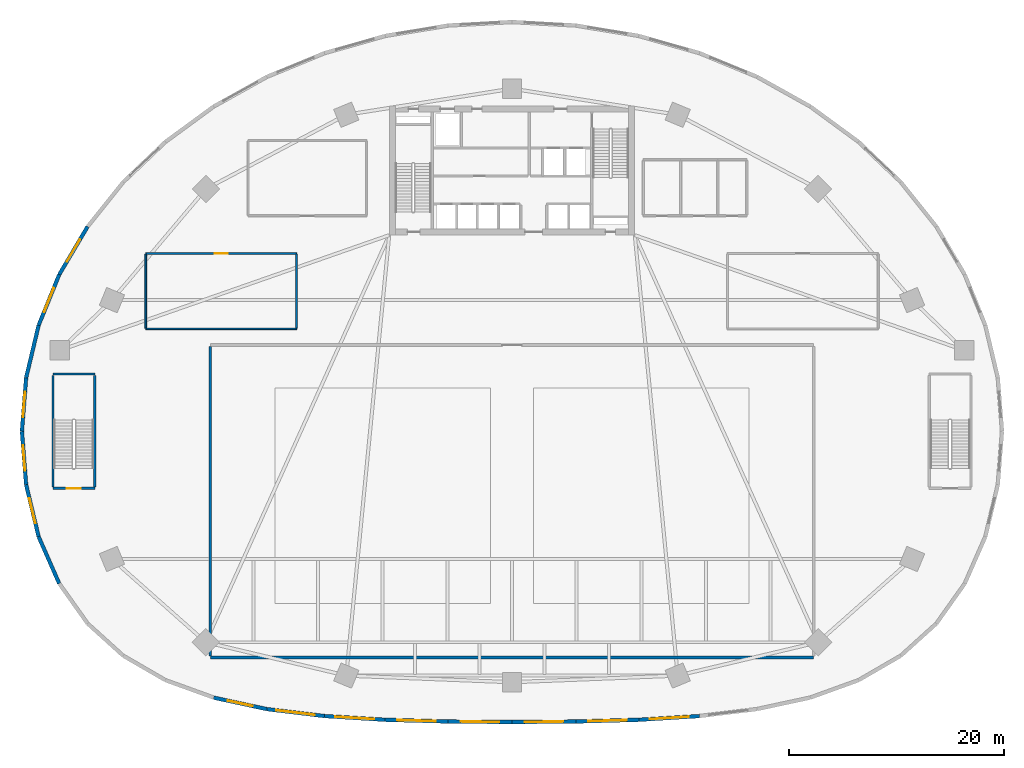
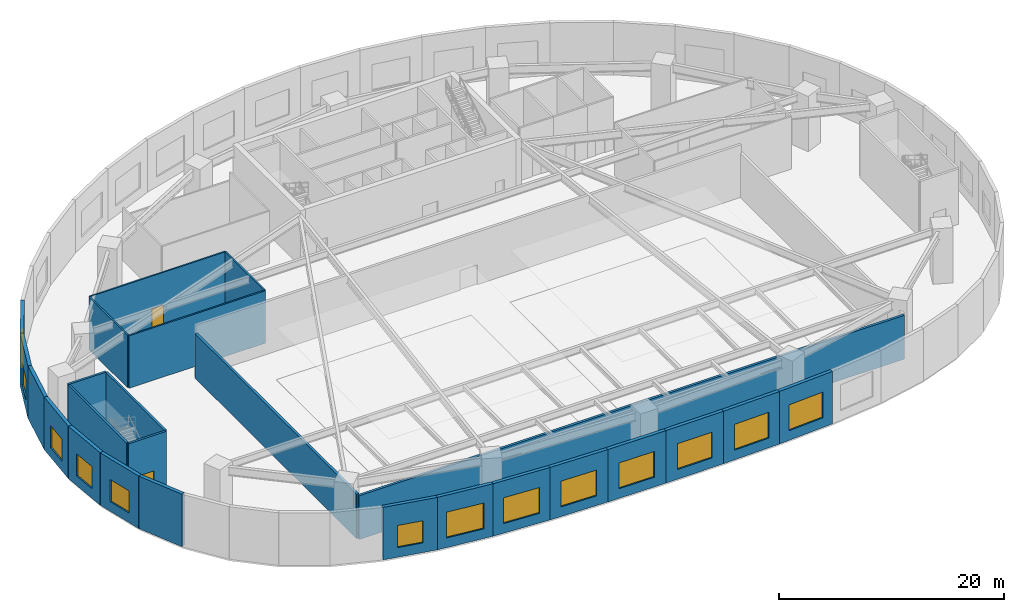
# One storey, part 2 of 10: 25 walls, 13 windows, 2 doors, 15 openings.
"""IFC4 building model written with IfcOpenShell, lengths in metres."""

from ifc_helpers import new_model, si_unit, direction, frame, frame_2d, origin, place, context, subcontext, project, spatial, rectangle, extrude, source, transform, mapped, material, layer, layer_set, type_object, type_shapes, element, fill, save


model = new_model("IFC4")

# Units and contexts
model_context = context("Model", 3, precision=1e-05, world=origin(), true_north=direction((0.0, 1.0)))
body_context = subcontext(model_context, "Body", "Model", "MODEL_VIEW")
ifc_project = project(units=[si_unit("LENGTHUNIT", "METRE"), si_unit("AREAUNIT", "SQUARE_METRE"), si_unit("VOLUMEUNIT", "CUBIC_METRE"), si_unit("PLANEANGLEUNIT", "RADIAN"), si_unit("MASSUNIT", "GRAM", prefix="KILO")], contexts=[model_context])

# Site, building, storey
site_placement = place(None, origin())
site = spatial("IfcSite", under=ifc_project, at=site_placement, CompositionType="ELEMENT")
building_placement = place(site_placement, origin())
building = spatial("IfcBuilding", under=site, at=building_placement, Name="Breltana Convention Tower", CompositionType="ELEMENT")
storey_placement = place(building_placement, frame((0.0, 0.0, 6.0)))
storey = spatial("IfcBuildingStorey", under=building, at=storey_placement, Name="L01", CompositionType="ELEMENT", Elevation=6.0)

# Wall, opening, window
ifc_material_1 = material(Name="Limestone Buff Insulated Wall", Category="masonry")
ifc_layer_1 = layer(ifc_material_1, 0.35009765625, Name="Limestone Buff Insulated Wall")
ifc_layer_set_1 = layer_set([ifc_layer_1], Name="Limestone Buff Insulated Wall")
wall_type_1 = type_object("IfcWallType", Name="WL-EXT-POD-350", PredefinedType="SOLIDWALL", material=ifc_layer_set_1)
shared_shape_1 = source(origin(), body_context, "Body", "SweptSolid", [
    extrude(rectangle(XDim=4.975341796875, YDim=0.35009765625, at=frame_2d((2.48779296875, 0.0))), origin(), (0.0, 0.0, 1.0), 5.699951171875),
])
type_shapes(wall_type_1, [shared_shape_1])
wall_1_placement = place(storey_placement, frame((2.889404296875, 46.9599609375, 0.0), z_axis=(0.0, 0.0, 1.0), x_axis=(-0.07826870534, -0.996932299489, 0.0)))
wall_1 = element("IfcWall", 1, at=wall_1_placement, inside=storey, type_object=wall_type_1, Name="L01 limestone facade wall 24", PredefinedType="SOLIDWALL", context=body_context, shape_type="MappedRepresentation", body=[
    mapped(shared_shape_1, transform((0.0, 0.0, 0.0), scale=1.0)),
])
opening_1_placement = place(wall_1_placement, frame((1.28759765625, 0.0, 1.050048828125)))
opening_1 = element("IfcOpeningElement", 2, at=opening_1_placement, cuts=wall_1, Name="Opening W-02", PredefinedType="OPENING", context=body_context, shape_type="SweptSolid", body=[
    extrude(rectangle(XDim=2.39990234375, YDim=2.39990234375, at=frame_2d((1.199951171875, 1.199951171875))), frame((0.0, 0.18505859375, 0.0), z_axis=(0.0, -1.0, 0.0), x_axis=(1.0, 0.0, 0.0)), (0.0, 0.0, 1.0), 0.3701171875),
])
ifc_material_2 = material(Name="Glass Low-E Insulated Window", Category="glass")
window_type_1 = type_object("IfcWindowType", Name="WN-POD-2400X2400", PartitioningType="DOUBLE_PANEL_VERTICAL", PredefinedType="WINDOW", material=ifc_material_2)
shared_shape_2 = source(origin(), body_context, "Body", "SweptSolid", [
    extrude(rectangle(XDim=2.39990234375, YDim=2.39990234375, at=frame_2d((1.199951171875, 1.199951171875))), frame((0.0, 0.030029296875, 0.0), z_axis=(0.0, -1.0, 0.0), x_axis=(1.0, 0.0, 0.0)), (0.0, 0.0, 1.0), 0.06005859375),
])
type_shapes(window_type_1, [shared_shape_2])
window_1_placement = place(opening_1_placement, origin())
window_1 = element("IfcWindow", 3, at=window_1_placement, inside=storey, type_object=window_type_1, Name="L01 tripartite window 24.1", OverallHeight=2.39990234375, OverallWidth=2.39990234375, PartitioningType="DOUBLE_PANEL_VERTICAL", PredefinedType="WINDOW", context=body_context, shape_type="MappedRepresentation", body=[
    mapped(shared_shape_2, transform((0.0, 0.0, 0.0), scale=1.0)),
])
fill(opening_1, window_1)

wall_2_placement = place(storey_placement, frame((2.5, 42.0, 0.0), z_axis=(0.0, 0.0, 1.0), x_axis=(0.07826870534, -0.996932299489, 0.0)))
wall_2 = element("IfcWall", 4, at=wall_2_placement, inside=storey, type_object=wall_type_1, Name="L01 limestone facade wall 25", PredefinedType="SOLIDWALL", context=body_context, shape_type="MappedRepresentation", body=[
    mapped(shared_shape_1, transform((0.0, 0.0, 0.0), scale=1.0)),
])
opening_2_placement = place(wall_2_placement, frame((1.28759765625, 0.0, 1.050048828125)))
opening_2 = element("IfcOpeningElement", 5, at=opening_2_placement, cuts=wall_2, Name="Opening W-02", PredefinedType="OPENING", context=body_context, shape_type="SweptSolid", body=[
    extrude(rectangle(XDim=2.39990234375, YDim=2.39990234375, at=frame_2d((1.199951171875, 1.199951171875))), frame((0.0, 0.18505859375, 0.0), z_axis=(0.0, -1.0, 0.0), x_axis=(1.0, 0.0, 0.0)), (0.0, 0.0, 1.0), 0.3701171875),
])
window_2_placement = place(opening_2_placement, origin())
window_2 = element("IfcWindow", 6, at=window_2_placement, inside=storey, type_object=window_type_1, Name="L01 tripartite window 25.1", OverallHeight=2.39990234375, OverallWidth=2.39990234375, PartitioningType="DOUBLE_PANEL_VERTICAL", PredefinedType="WINDOW", context=body_context, shape_type="MappedRepresentation", body=[
    mapped(shared_shape_2, transform((0.0, 0.0, 0.0), scale=1.0)),
])
fill(opening_2, window_2)

# Wall
shared_shape_3 = source(origin(), body_context, "Body", "SweptSolid", [
    extrude(rectangle(XDim=5.011474609375, YDim=0.35009765625, at=frame_2d((2.505859375, 0.0))), origin(), (0.0, 0.0, 1.0), 5.699951171875),
])
wall_3_placement = place(storey_placement, frame((4.05029296875, 51.835205078125, 0.0), z_axis=(0.0, 0.0, 1.0), x_axis=(-0.23164248061, -0.972800987446, 0.0)))
element("IfcWall", 7, at=wall_3_placement, inside=storey, type_object=wall_type_1, Name="L01 limestone facade wall 23", PredefinedType="SOLIDWALL", context=body_context, shape_type="MappedRepresentation", body=[
    mapped(shared_shape_3, transform((0.0, 0.0, 0.0), scale=1.0)),
])

# Wall, opening, window
shared_shape_4 = source(origin(), body_context, "Body", "SweptSolid", [
    extrude(rectangle(XDim=5.080810546875, YDim=0.35009765625, at=frame_2d((2.54052734375, 0.0))), origin(), (0.0, 0.0, 1.0), 5.699951171875),
])
wall_4_placement = place(storey_placement, frame((5.96337890625, 56.5419921875, 0.0), z_axis=(0.0, 0.0, 1.0), x_axis=(-0.376538155573, -0.926401110425, 0.0)))
wall_4 = element("IfcWall", 8, at=wall_4_placement, inside=storey, type_object=wall_type_1, Name="L01 limestone facade wall 22", PredefinedType="SOLIDWALL", context=body_context, shape_type="MappedRepresentation", body=[
    mapped(shared_shape_4, transform((0.0, 0.0, 0.0), scale=1.0)),
])
opening_3_placement = place(wall_4_placement, frame((1.34033203125, 0.0, 1.050048828125)))
opening_3 = element("IfcOpeningElement", 9, at=opening_3_placement, cuts=wall_4, Name="Opening W-02", PredefinedType="OPENING", context=body_context, shape_type="SweptSolid", body=[
    extrude(rectangle(XDim=2.39990234375, YDim=2.39990234375, at=frame_2d((1.199951171875, 1.199951171875))), frame((0.0, 0.18505859375, 0.0), z_axis=(0.0, -1.0, 0.0), x_axis=(1.0, 0.0, 0.0)), (0.0, 0.0, 1.0), 0.3701171875),
])
window_3_placement = place(opening_3_placement, origin())
window_3 = element("IfcWindow", 10, at=window_3_placement, inside=storey, type_object=window_type_1, Name="L01 tripartite window 22.1", OverallHeight=2.39990234375, OverallWidth=2.39990234375, PartitioningType="DOUBLE_PANEL_VERTICAL", PredefinedType="WINDOW", context=body_context, shape_type="MappedRepresentation", body=[
    mapped(shared_shape_2, transform((0.0, 0.0, 0.0), scale=1.0)),
])
fill(opening_3, window_3)

shared_shape_5 = source(origin(), body_context, "Body", "SweptSolid", [
    extrude(rectangle(XDim=5.17724609375, YDim=0.35009765625, at=frame_2d((2.588623046875, 0.0))), origin(), (0.0, 0.0, 1.0), 5.699951171875),
])
wall_5_placement = place(storey_placement, frame((8.595703125, 61.0, 0.0), z_axis=(0.0, 0.0, 1.0), x_axis=(-0.508449663637, -0.861091713784, 0.0)))
wall_5 = element("IfcWall", 11, at=wall_5_placement, inside=storey, type_object=wall_type_1, Name="L01 limestone facade wall 21", PredefinedType="SOLIDWALL", context=body_context, shape_type="MappedRepresentation", body=[
    mapped(shared_shape_5, transform((0.0, 0.0, 0.0), scale=1.0)),
])
opening_4_placement = place(wall_5_placement, frame((1.388671875, 0.0, 1.050048828125)))
opening_4 = element("IfcOpeningElement", 12, at=opening_4_placement, cuts=wall_5, Name="Opening W-02", PredefinedType="OPENING", context=body_context, shape_type="SweptSolid", body=[
    extrude(rectangle(XDim=2.39990234375, YDim=2.39990234375, at=frame_2d((1.199951171875, 1.199951171875))), frame((0.0, 0.18505859375, 0.0), z_axis=(0.0, -1.0, 0.0), x_axis=(1.0, 0.0, 0.0)), (0.0, 0.0, 1.0), 0.3701171875),
])
window_4_placement = place(opening_4_placement, origin())
window_4 = element("IfcWindow", 13, at=window_4_placement, inside=storey, type_object=window_type_1, Name="L01 tripartite window 21.1", OverallHeight=2.39990234375, OverallWidth=2.39990234375, PartitioningType="DOUBLE_PANEL_VERTICAL", PredefinedType="WINDOW", context=body_context, shape_type="MappedRepresentation", body=[
    mapped(shared_shape_2, transform((0.0, 0.0, 0.0), scale=1.0)),
])
fill(opening_4, window_4)

shared_shape_6 = source(origin(), body_context, "Body", "SweptSolid", [
    extrude(rectangle(XDim=4.968994140625, YDim=0.35009765625, at=frame_2d((2.484375, 0.0))), origin(), (0.0, 0.0, 1.0), 5.699951171875),
])
wall_6_placement = place(storey_placement, frame((2.889404296875, 37.0400390625, 0.0), z_axis=(0.0, 0.0, 1.0), x_axis=(0.233623809029, -0.972327062184, 0.0)))
wall_6 = element("IfcWall", 14, at=wall_6_placement, inside=storey, type_object=wall_type_1, Name="L01 limestone facade wall 26", PredefinedType="SOLIDWALL", context=body_context, shape_type="MappedRepresentation", body=[
    mapped(shared_shape_6, transform((0.0, 0.0, 0.0), scale=1.0)),
])
opening_5_placement = place(wall_6_placement, frame((1.284423828125, 0.0, 1.050048828125)))
opening_5 = element("IfcOpeningElement", 15, at=opening_5_placement, cuts=wall_6, Name="Opening W-02", PredefinedType="OPENING", context=body_context, shape_type="SweptSolid", body=[
    extrude(rectangle(XDim=2.39990234375, YDim=2.39990234375, at=frame_2d((1.199951171875, 1.199951171875))), frame((0.0, 0.18505859375, 0.0), z_axis=(0.0, -1.0, 0.0), x_axis=(1.0, 0.0, 0.0)), (0.0, 0.0, 1.0), 0.3701171875),
])
window_5_placement = place(opening_5_placement, origin())
window_5 = element("IfcWindow", 16, at=window_5_placement, inside=storey, type_object=window_type_1, Name="L01 tripartite window 26.1", OverallHeight=2.39990234375, OverallWidth=2.39990234375, PartitioningType="DOUBLE_PANEL_VERTICAL", PredefinedType="WINDOW", context=body_context, shape_type="MappedRepresentation", body=[
    mapped(shared_shape_2, transform((0.0, 0.0, 0.0), scale=1.0)),
])
fill(opening_5, window_5)

# Wall
shared_shape_7 = source(origin(), body_context, "Body", "SweptSolid", [
    extrude(rectangle(XDim=4.756103515625, YDim=0.35009765625, at=frame_2d((2.3779296875, 0.0))), origin(), (0.0, 0.0, 1.0), 5.699951171875),
])
wall_7_placement = place(storey_placement, frame((4.05029296875, 32.20849609375, 0.0), z_axis=(0.0, 0.0, 1.0), x_axis=(0.402248274654, -0.915530625123, 0.0)))
element("IfcWall", 17, at=wall_7_placement, inside=storey, type_object=wall_type_1, Name="L01 limestone facade wall 27", PredefinedType="SOLIDWALL", context=body_context, shape_type="MappedRepresentation", body=[
    mapped(shared_shape_7, transform((0.0, 0.0, 0.0), scale=1.0)),
])

# Wall, opening, window
shared_shape_8 = source(origin(), body_context, "Body", "SweptSolid", [
    extrude(rectangle(XDim=5.062255859375, YDim=0.35009765625, at=frame_2d((2.53125, 0.0))), origin(), (0.0, 0.0, 1.0), 5.699951171875),
])
wall_8_placement = place(storey_placement, frame((20.301513671875, 17.2626953125, 0.0), z_axis=(0.0, 0.0, 1.0), x_axis=(0.977548321811, -0.210711363066, 0.0)))
wall_8 = element("IfcWall", 18, at=wall_8_placement, inside=storey, type_object=wall_type_1, Name="L01 limestone facade wall 32", PredefinedType="SOLIDWALL", context=body_context, shape_type="MappedRepresentation", body=[
    mapped(shared_shape_8, transform((0.0, 0.0, 0.0), scale=1.0)),
])
opening_6_placement = place(wall_8_placement, frame((1.3310546875, 0.0, 1.050048828125)))
opening_6 = element("IfcOpeningElement", 19, at=opening_6_placement, cuts=wall_8, Name="Opening W-02", PredefinedType="OPENING", context=body_context, shape_type="SweptSolid", body=[
    extrude(rectangle(XDim=2.39990234375, YDim=2.39990234375, at=frame_2d((1.199951171875, 1.199951171875))), frame((0.0, 0.18505859375, 0.0), z_axis=(0.0, -1.0, 0.0), x_axis=(1.0, 0.0, 0.0)), (0.0, 0.0, 1.0), 0.3701171875),
])
window_6_placement = place(opening_6_placement, origin())
window_6 = element("IfcWindow", 20, at=window_6_placement, inside=storey, type_object=window_type_1, Name="L01 tripartite window 32.1", OverallHeight=2.39990234375, OverallWidth=2.39990234375, PartitioningType="DOUBLE_PANEL_VERTICAL", PredefinedType="WINDOW", context=body_context, shape_type="MappedRepresentation", body=[
    mapped(shared_shape_2, transform((0.0, 0.0, 0.0), scale=1.0)),
])
fill(opening_6, window_6)

shared_shape_9 = source(origin(), body_context, "Body", "SweptSolid", [
    extrude(rectangle(XDim=5.37646484375, YDim=0.35009765625, at=frame_2d((2.688232421875, 0.0))), origin(), (0.0, 0.0, 1.0), 5.699951171875),
])
wall_9_placement = place(storey_placement, frame((25.25, 16.196044921875, 0.0), z_axis=(0.0, 0.0, 1.0), x_axis=(0.992815901624, -0.119651934723, 0.0)))
wall_9 = element("IfcWall", 21, at=wall_9_placement, inside=storey, type_object=wall_type_1, Name="L01 limestone facade wall 33", PredefinedType="SOLIDWALL", context=body_context, shape_type="MappedRepresentation", body=[
    mapped(shared_shape_9, transform((0.0, 0.0, 0.0), scale=1.0)),
])
opening_7_placement = place(wall_9_placement, frame((0.88818359375, 0.0, 1.050048828125)))
opening_7 = element("IfcOpeningElement", 22, at=opening_7_placement, cuts=wall_9, Name="Opening W-01", PredefinedType="OPENING", context=body_context, shape_type="SweptSolid", body=[
    extrude(rectangle(XDim=3.60009765625, YDim=2.800048828125, at=frame_2d((1.800048828125, 1.39990234375))), frame((0.0, 0.18505859375, 0.0), z_axis=(0.0, -1.0, 0.0), x_axis=(1.0, 0.0, 0.0)), (0.0, 0.0, 1.0), 0.3701171875),
])
window_type_2 = type_object("IfcWindowType", Name="WN-POD-3600X2800", PartitioningType="TRIPLE_PANEL_VERTICAL", PredefinedType="WINDOW", material=ifc_material_2)
shared_shape_10 = source(origin(), body_context, "Body", "SweptSolid", [
    extrude(rectangle(XDim=3.60009765625, YDim=2.800048828125, at=frame_2d((1.800048828125, 1.39990234375))), frame((0.0, 0.030029296875, 0.0), z_axis=(0.0, -1.0, 0.0), x_axis=(1.0, 0.0, 0.0)), (0.0, 0.0, 1.0), 0.06005859375),
])
type_shapes(window_type_2, [shared_shape_10])
window_7_placement = place(opening_7_placement, origin())
window_7 = element("IfcWindow", 23, at=window_7_placement, inside=storey, type_object=window_type_2, Name="L01 tripartite window 33.1", OverallHeight=2.800048828125, OverallWidth=3.60009765625, PartitioningType="TRIPLE_PANEL_VERTICAL", PredefinedType="WINDOW", context=body_context, shape_type="MappedRepresentation", body=[
    mapped(shared_shape_10, transform((0.0, 0.0, 0.0), scale=1.0)),
])
fill(opening_7, window_7)

shared_shape_11 = source(origin(), body_context, "Body", "SweptSolid", [
    extrude(rectangle(XDim=5.646484375, YDim=0.35009765625, at=frame_2d((2.8232421875, 0.0))), origin(), (0.0, 0.0, 1.0), 5.699951171875),
])
wall_10_placement = place(storey_placement, frame((30.587890625, 15.552734375, 0.0), z_axis=(0.0, 0.0, 1.0), x_axis=(0.998102723982, -0.061570710403, 0.0)))
wall_10 = element("IfcWall", 24, at=wall_10_placement, inside=storey, type_object=wall_type_1, Name="L01 limestone facade wall 34", PredefinedType="SOLIDWALL", context=body_context, shape_type="MappedRepresentation", body=[
    mapped(shared_shape_11, transform((0.0, 0.0, 0.0), scale=1.0)),
])
opening_8_placement = place(wall_10_placement, frame((1.023193359375, 0.0, 1.050048828125)))
opening_8 = element("IfcOpeningElement", 25, at=opening_8_placement, cuts=wall_10, Name="Opening W-01", PredefinedType="OPENING", context=body_context, shape_type="SweptSolid", body=[
    extrude(rectangle(XDim=3.60009765625, YDim=2.800048828125, at=frame_2d((1.800048828125, 1.39990234375))), frame((0.0, 0.18505859375, 0.0), z_axis=(0.0, -1.0, 0.0), x_axis=(1.0, 0.0, 0.0)), (0.0, 0.0, 1.0), 0.3701171875),
])
window_8_placement = place(opening_8_placement, origin())
window_8 = element("IfcWindow", 26, at=window_8_placement, inside=storey, type_object=window_type_2, Name="L01 tripartite window 34.1", OverallHeight=2.800048828125, OverallWidth=3.60009765625, PartitioningType="TRIPLE_PANEL_VERTICAL", PredefinedType="WINDOW", context=body_context, shape_type="MappedRepresentation", body=[
    mapped(shared_shape_10, transform((0.0, 0.0, 0.0), scale=1.0)),
])
fill(opening_8, window_8)

wall_11_placement = place(storey_placement, frame((59.7763671875, 15.205078125, 0.0), z_axis=(0.0, 0.0, 1.0), x_axis=(0.998102723982, 0.061570710403, 0.0)))
wall_11 = element("IfcWall", 27, at=wall_11_placement, inside=storey, type_object=wall_type_1, Name="L01 limestone facade wall 39", PredefinedType="SOLIDWALL", context=body_context, shape_type="MappedRepresentation", body=[
    mapped(shared_shape_11, transform((0.0, 0.0, 0.0), scale=1.0)),
])
opening_9_placement = place(wall_11_placement, frame((1.023193359375, 0.0, 1.050048828125)))
opening_9 = element("IfcOpeningElement", 28, at=opening_9_placement, cuts=wall_11, Name="Opening W-01", PredefinedType="OPENING", context=body_context, shape_type="SweptSolid", body=[
    extrude(rectangle(XDim=3.60009765625, YDim=2.800048828125, at=frame_2d((1.800048828125, 1.39990234375))), frame((0.0, 0.18505859375, 0.0), z_axis=(0.0, -1.0, 0.0), x_axis=(1.0, 0.0, 0.0)), (0.0, 0.0, 1.0), 0.3701171875),
])
window_9_placement = place(opening_9_placement, origin())
window_9 = element("IfcWindow", 29, at=window_9_placement, inside=storey, type_object=window_type_2, Name="L01 tripartite window 39.1", OverallHeight=2.800048828125, OverallWidth=3.60009765625, PartitioningType="TRIPLE_PANEL_VERTICAL", PredefinedType="WINDOW", context=body_context, shape_type="MappedRepresentation", body=[
    mapped(shared_shape_10, transform((0.0, 0.0, 0.0), scale=1.0)),
])
fill(opening_9, window_9)

shared_shape_12 = source(origin(), body_context, "Body", "SweptSolid", [
    extrude(rectangle(XDim=5.839599609375, YDim=0.35009765625, at=frame_2d((2.919921875, 0.0))), origin(), (0.0, 0.0, 1.0), 5.699951171875),
])
wall_12_placement = place(storey_placement, frame((36.2236328125, 15.205078125, 0.0), z_axis=(0.0, 0.0, 1.0), x_axis=(0.999623839291, -0.027425898728, 0.0)))
wall_12 = element("IfcWall", 30, at=wall_12_placement, inside=storey, type_object=wall_type_1, Name="L01 limestone facade wall 35", PredefinedType="SOLIDWALL", context=body_context, shape_type="MappedRepresentation", body=[
    mapped(shared_shape_12, transform((0.0, 0.0, 0.0), scale=1.0)),
])
opening_10_placement = place(wall_12_placement, frame((1.119873046875, 0.0, 1.050048828125)))
opening_10 = element("IfcOpeningElement", 31, at=opening_10_placement, cuts=wall_12, Name="Opening W-01", PredefinedType="OPENING", context=body_context, shape_type="SweptSolid", body=[
    extrude(rectangle(XDim=3.60009765625, YDim=2.800048828125, at=frame_2d((1.800048828125, 1.39990234375))), frame((0.0, 0.18505859375, 0.0), z_axis=(0.0, -1.0, 0.0), x_axis=(1.0, 0.0, 0.0)), (0.0, 0.0, 1.0), 0.3701171875),
])
window_10_placement = place(opening_10_placement, origin())
window_10 = element("IfcWindow", 32, at=window_10_placement, inside=storey, type_object=window_type_2, Name="L01 tripartite window 35.1", OverallHeight=2.800048828125, OverallWidth=3.60009765625, PartitioningType="TRIPLE_PANEL_VERTICAL", PredefinedType="WINDOW", context=body_context, shape_type="MappedRepresentation", body=[
    mapped(shared_shape_10, transform((0.0, 0.0, 0.0), scale=1.0)),
])
fill(opening_10, window_10)

wall_13_placement = place(storey_placement, frame((53.93896484375, 15.044921875, 0.0), z_axis=(0.0, 0.0, 1.0), x_axis=(0.999623839291, 0.027425898728, 0.0)))
wall_13 = element("IfcWall", 33, at=wall_13_placement, inside=storey, type_object=wall_type_1, Name="L01 limestone facade wall 38", PredefinedType="SOLIDWALL", context=body_context, shape_type="MappedRepresentation", body=[
    mapped(shared_shape_12, transform((0.0, 0.0, 0.0), scale=1.0)),
])
opening_11_placement = place(wall_13_placement, frame((1.119873046875, 0.0, 1.050048828125)))
opening_11 = element("IfcOpeningElement", 34, at=opening_11_placement, cuts=wall_13, Name="Opening W-01", PredefinedType="OPENING", context=body_context, shape_type="SweptSolid", body=[
    extrude(rectangle(XDim=3.60009765625, YDim=2.800048828125, at=frame_2d((1.800048828125, 1.39990234375))), frame((0.0, 0.18505859375, 0.0), z_axis=(0.0, -1.0, 0.0), x_axis=(1.0, 0.0, 0.0)), (0.0, 0.0, 1.0), 0.3701171875),
])
window_11_placement = place(opening_11_placement, origin())
window_11 = element("IfcWindow", 35, at=window_11_placement, inside=storey, type_object=window_type_2, Name="L01 tripartite window 38.1", OverallHeight=2.800048828125, OverallWidth=3.60009765625, PartitioningType="TRIPLE_PANEL_VERTICAL", PredefinedType="WINDOW", context=body_context, shape_type="MappedRepresentation", body=[
    mapped(shared_shape_10, transform((0.0, 0.0, 0.0), scale=1.0)),
])
fill(opening_11, window_11)

shared_shape_13 = source(origin(), body_context, "Body", "SweptSolid", [
    extrude(rectangle(XDim=5.939208984375, YDim=0.35009765625, at=frame_2d((2.9697265625, 0.0))), origin(), (0.0, 0.0, 1.0), 5.699951171875),
])
wall_14_placement = place(storey_placement, frame((42.06103515625, 15.044921875, 0.0), z_axis=(0.0, 0.0, 1.0), x_axis=(0.999971394759, -0.007563707006, 0.0)))
wall_14 = element("IfcWall", 36, at=wall_14_placement, inside=storey, type_object=wall_type_1, Name="L01 limestone facade wall 36", PredefinedType="SOLIDWALL", context=body_context, shape_type="MappedRepresentation", body=[
    mapped(shared_shape_13, transform((0.0, 0.0, 0.0), scale=1.0)),
])
opening_12_placement = place(wall_14_placement, frame((1.16943359375, 0.0, 1.050048828125)))
opening_12 = element("IfcOpeningElement", 37, at=opening_12_placement, cuts=wall_14, Name="Opening W-01", PredefinedType="OPENING", context=body_context, shape_type="SweptSolid", body=[
    extrude(rectangle(XDim=3.60009765625, YDim=2.800048828125, at=frame_2d((1.800048828125, 1.39990234375))), frame((0.0, 0.18505859375, 0.0), z_axis=(0.0, -1.0, 0.0), x_axis=(1.0, 0.0, 0.0)), (0.0, 0.0, 1.0), 0.3701171875),
])
window_12_placement = place(opening_12_placement, origin())
window_12 = element("IfcWindow", 38, at=window_12_placement, inside=storey, type_object=window_type_2, Name="L01 tripartite window 36.1", OverallHeight=2.800048828125, OverallWidth=3.60009765625, PartitioningType="TRIPLE_PANEL_VERTICAL", PredefinedType="WINDOW", context=body_context, shape_type="MappedRepresentation", body=[
    mapped(shared_shape_10, transform((0.0, 0.0, 0.0), scale=1.0)),
])
fill(opening_12, window_12)

wall_15_placement = place(storey_placement, frame((48.0, 15.0, 0.0), z_axis=(0.0, 0.0, 1.0), x_axis=(0.999971394759, 0.007563707006, 0.0)))
wall_15 = element("IfcWall", 39, at=wall_15_placement, inside=storey, type_object=wall_type_1, Name="L01 limestone facade wall 37", PredefinedType="SOLIDWALL", context=body_context, shape_type="MappedRepresentation", body=[
    mapped(shared_shape_13, transform((0.0, 0.0, 0.0), scale=1.0)),
])
opening_13_placement = place(wall_15_placement, frame((1.16943359375, 0.0, 1.050048828125)))
opening_13 = element("IfcOpeningElement", 40, at=opening_13_placement, cuts=wall_15, Name="Opening W-01", PredefinedType="OPENING", context=body_context, shape_type="SweptSolid", body=[
    extrude(rectangle(XDim=3.60009765625, YDim=2.800048828125, at=frame_2d((1.800048828125, 1.39990234375))), frame((0.0, 0.18505859375, 0.0), z_axis=(0.0, -1.0, 0.0), x_axis=(1.0, 0.0, 0.0)), (0.0, 0.0, 1.0), 0.3701171875),
])
window_13_placement = place(opening_13_placement, origin())
window_13 = element("IfcWindow", 41, at=window_13_placement, inside=storey, type_object=window_type_2, Name="L01 tripartite window 37.1", OverallHeight=2.800048828125, OverallWidth=3.60009765625, PartitioningType="TRIPLE_PANEL_VERTICAL", PredefinedType="WINDOW", context=body_context, shape_type="MappedRepresentation", body=[
    mapped(shared_shape_10, transform((0.0, 0.0, 0.0), scale=1.0)),
])
fill(opening_13, window_13)

# Wall, opening, door
ifc_material_3 = material(Name="Concrete C40/50", Category="concrete")
ifc_layer_2 = layer(ifc_material_3, 0.219970703125, Name="Concrete C40/50")
ifc_layer_set_2 = layer_set([ifc_layer_2], Name="Concrete C40/50")
wall_type_2 = type_object("IfcWallType", Name="WL-SHAFT-220", PredefinedType="SOLIDWALL", material=ifc_layer_set_2)
shared_shape_14 = source(origin(), body_context, "Body", "SweptSolid", [
    extrude(rectangle(XDim=3.89013671875, YDim=0.219970703125, at=frame_2d((1.945068359375, 0.0))), origin(), (0.0, 0.0, 1.0), 6.0),
])
wall_16_placement = place(storey_placement, frame((5.389892578125, 36.68994140625, 0.0), z_axis=(0.0, 0.0, 1.0), x_axis=(1.0, 0.0, 0.0)))
wall_16 = element("IfcWall", 42, at=wall_16_placement, inside=storey, type_object=wall_type_2, Name="L01 interior partition W-L01-ST3-S", PredefinedType="SOLIDWALL", context=body_context, shape_type="MappedRepresentation", body=[
    mapped(shared_shape_14, transform((0.0, 0.0, 0.0), scale=1.0)),
])
opening_14_placement = place(wall_16_placement, frame((1.294921875, 0.0, 0.0)))
opening_14 = element("IfcOpeningElement", 43, at=opening_14_placement, cuts=wall_16, Name="Opening D-08", PredefinedType="OPENING", context=body_context, shape_type="SweptSolid", body=[
    extrude(rectangle(XDim=1.300048828125, YDim=2.14990234375, at=frame_2d((0.64990234375, 1.074951171875))), frame((0.0, 0.1201171875, 0.0), z_axis=(0.0, -1.0, 0.0), x_axis=(1.0, 0.0, 0.0)), (0.0, 0.0, 1.0), 0.239990234375),
])
ifc_material_4 = material(Name="Steel Fire Exit Door", Category="steel")
door_type_1 = type_object("IfcDoorType", Name="DR-FD120-1300", OperationType="NOTDEFINED", PredefinedType="DOOR", material=ifc_material_4)
shared_shape_15 = source(origin(), body_context, "Body", "SweptSolid", [
    extrude(rectangle(XDim=1.300048828125, YDim=2.14990234375, at=frame_2d((0.64990234375, 1.074951171875))), frame((0.0, 0.02490234375, 0.0), z_axis=(0.0, -1.0, 0.0), x_axis=(1.0, 0.0, 0.0)), (0.0, 0.0, 1.0), 0.050048828125),
])
type_shapes(door_type_1, [shared_shape_15])
door_1_placement = place(opening_14_placement, origin())
door_1 = element("IfcDoor", 44, at=door_1_placement, inside=storey, type_object=door_type_1, Name="L01 interior door D-L01-ST3", OperationType="SINGLE_SWING_LEFT", OverallHeight=2.14990234375, OverallWidth=1.300048828125, PredefinedType="DOOR", context=body_context, shape_type="MappedRepresentation", body=[
    mapped(shared_shape_15, transform((0.0, 0.0, 0.0), scale=1.0)),
])
fill(opening_14, door_1)

# Walls
wall_17_placement = place(storey_placement, frame((5.389892578125, 47.31005859375, 0.0), z_axis=(0.0, 0.0, 1.0), x_axis=(1.0, 0.0, 0.0)))
element("IfcWall", 45, at=wall_17_placement, inside=storey, type_object=wall_type_2, Name="L01 interior partition W-L01-ST3-N", PredefinedType="SOLIDWALL", context=body_context, shape_type="MappedRepresentation", body=[
    mapped(shared_shape_14, transform((0.0, 0.0, 0.0), scale=1.0)),
])
shared_shape_16 = source(origin(), body_context, "Body", "SweptSolid", [
    extrude(rectangle(XDim=10.3798828125, YDim=0.219970703125, at=frame_2d((5.18994140625, 0.0))), origin(), (0.0, 0.0, 1.0), 6.0),
])
for number, where, z_axis, x_axis, name in (
    (46, (5.389892578125, 36.81005859375, 0.0), (0.0, 0.0, 1.0), (0.0, 1.0, 0.0), "L01 interior partition W-L01-ST3-W"),
    (47, (9.280029296875, 36.81005859375, 0.0), (0.0, 0.0, 1.0), (0.0, 1.0, 0.0), "L01 interior partition W-L01-ST3-E"),
):
    element("IfcWall", number, at=place(storey_placement, frame(where, z_axis=z_axis, x_axis=x_axis)), inside=storey, type_object=wall_type_2, Name=name, PredefinedType="SOLIDWALL", context=body_context, shape_type="MappedRepresentation", body=[
        mapped(shared_shape_16, transform((0.0, 0.0, 0.0), scale=1.0)),
    ])
ifc_material_5 = material(Name="Gypsum Acoustic Double Stud Wall")
ifc_layer_3 = layer(ifc_material_5, 0.25, Name="Gypsum Acoustic Double Stud Wall")
ifc_layer_set_3 = layer_set([ifc_layer_3], Name="Gypsum Acoustic Double Stud Wall")
wall_type_3 = type_object("IfcWallType", Name="WL-ACOUSTIC-250", PredefinedType="PARTITIONING", material=ifc_layer_set_3)
shared_shape_17 = source(origin(), body_context, "Body", "SweptSolid", [
    extrude(rectangle(XDim=56.0, YDim=0.25, at=frame_2d((28.0, 0.0))), origin(), (0.0, 0.0, 1.0), 4.760986328125),
])
wall_18_placement = place(storey_placement, frame((20.0, 21.0, 0.0), z_axis=(0.0, 0.0, 1.0), x_axis=(1.0, 0.0, 0.0)))
element("IfcWall", 48, at=wall_18_placement, inside=storey, type_object=wall_type_3, Name="L01 interior partition W-L01-CNV-S", PredefinedType="PARTITIONING", context=body_context, shape_type="MappedRepresentation", body=[
    mapped(shared_shape_17, transform((0.0, 0.0, 0.0), scale=1.0)),
])
shared_shape_18 = source(origin(), body_context, "Body", "SweptSolid", [
    extrude(rectangle(XDim=28.77490234375, YDim=0.25, at=frame_2d((14.387451171875, 0.0))), origin(), (0.0, 0.0, 1.0), 4.833984375),
])
wall_19_placement = place(storey_placement, frame((20.0, 21.112548828125, 0.0), z_axis=(0.0, 0.0, 1.0), x_axis=(0.0, 1.0, 0.0)))
element("IfcWall", 49, at=wall_19_placement, inside=storey, type_object=wall_type_3, Name="L01 interior partition W-L01-CNV-W", PredefinedType="PARTITIONING", context=body_context, shape_type="MappedRepresentation", body=[
    mapped(shared_shape_18, transform((0.0, 0.0, 0.0), scale=1.0)),
])
ifc_material_6 = material(Name="Aluminium Anodised Acoustic Operable Panel", Category="aluminium")
ifc_layer_4 = layer(ifc_material_6, 0.159912109375, Name="Aluminium Anodised Acoustic Operable Panel")
ifc_layer_set_4 = layer_set([ifc_layer_4], Name="Aluminium Anodised Acoustic Operable Panel")
wall_type_4 = type_object("IfcWallType", Name="WL-MOVABLE-160", PredefinedType="MOVABLE", material=ifc_layer_set_4)
shared_shape_19 = source(origin(), body_context, "Body", "SweptSolid", [
    extrude(rectangle(XDim=14.0, YDim=0.159912109375, at=frame_2d((7.0, 0.0))), origin(), (0.0, 0.0, 1.0), 5.699951171875),
])
type_shapes(wall_type_4, [shared_shape_19])
wall_20_placement = place(storey_placement, frame((14.0, 51.5, 0.0), z_axis=(0.0, 0.0, 1.0), x_axis=(1.0, 0.0, 0.0)))
element("IfcWall", 50, at=wall_20_placement, inside=storey, type_object=wall_type_4, Name="L01 interior partition W-L01-BRK1-S", PredefinedType="MOVABLE", context=body_context, shape_type="MappedRepresentation", body=[
    mapped(shared_shape_19, transform((0.0, 0.0, 0.0), scale=1.0)),
])

# Wall, opening, door
ifc_material_7 = material(Name="Gypsum Acoustic Drywall Partition")
ifc_layer_5 = layer(ifc_material_7, 0.14990234375, Name="Gypsum Acoustic Drywall Partition")
ifc_layer_set_5 = layer_set([ifc_layer_5], Name="Gypsum Acoustic Drywall Partition")
wall_type_5 = type_object("IfcWallType", Name="WL-PART-150", PredefinedType="PARTITIONING", material=ifc_layer_set_5)
shared_shape_20 = source(origin(), body_context, "Body", "SweptSolid", [
    extrude(rectangle(XDim=14.0, YDim=0.14990234375, at=frame_2d((7.0, 0.0))), origin(), (0.0, 0.0, 1.0), 5.699951171875),
])
wall_21_placement = place(storey_placement, frame((14.0, 58.5, 0.0), z_axis=(0.0, 0.0, 1.0), x_axis=(1.0, 0.0, 0.0)))
wall_21 = element("IfcWall", 51, at=wall_21_placement, inside=storey, type_object=wall_type_5, Name="L01 interior partition W-L01-BRK1-N", PredefinedType="PARTITIONING", context=body_context, shape_type="MappedRepresentation", body=[
    mapped(shared_shape_20, transform((0.0, 0.0, 0.0), scale=1.0)),
])
opening_15_placement = place(wall_21_placement, frame((6.39990234375, 0.0, 0.0)))
opening_15 = element("IfcOpeningElement", 52, at=opening_15_placement, cuts=wall_21, Name="Opening D-10", PredefinedType="OPENING", context=body_context, shape_type="SweptSolid", body=[
    extrude(rectangle(XDim=1.199951171875, YDim=2.14990234375, at=frame_2d((0.60009765625, 1.074951171875))), frame((0.0, 0.0849609375, 0.0), z_axis=(0.0, -1.0, 0.0), x_axis=(1.0, 0.0, 0.0)), (0.0, 0.0, 1.0), 0.169921875),
])
ifc_material_8 = material(Name="Timber Oak Veneer Fire Door", Category="wood")
door_type_2 = type_object("IfcDoorType", Name="DR-INT-1200", OperationType="NOTDEFINED", PredefinedType="DOOR", material=ifc_material_8)
shared_shape_21 = source(origin(), body_context, "Body", "SweptSolid", [
    extrude(rectangle(XDim=1.199951171875, YDim=2.14990234375, at=frame_2d((0.60009765625, 1.074951171875))), frame((0.0, 0.02490234375, 0.0), z_axis=(0.0, -1.0, 0.0), x_axis=(1.0, 0.0, 0.0)), (0.0, 0.0, 1.0), 0.050048828125),
])
type_shapes(door_type_2, [shared_shape_21])
door_2_placement = place(opening_15_placement, origin())
door_2 = element("IfcDoor", 53, at=door_2_placement, inside=storey, type_object=door_type_2, Name="L01 interior door D-L01-BRK1", OperationType="SINGLE_SWING_LEFT", OverallHeight=2.14990234375, OverallWidth=1.199951171875, PredefinedType="DOOR", context=body_context, shape_type="MappedRepresentation", body=[
    mapped(shared_shape_21, transform((0.0, 0.0, 0.0), scale=1.0)),
])
fill(opening_15, door_2)

# Walls
shared_shape_22 = source(origin(), body_context, "Body", "SweptSolid", [
    extrude(rectangle(XDim=6.865234375, YDim=0.159912109375, at=frame_2d((3.4326171875, 0.0))), origin(), (0.0, 0.0, 1.0), 5.699951171875),
])
for number, where, z_axis, x_axis, name in (
    (54, (14.0, 51.5673828125, 0.0), (0.0, 0.0, 1.0), (0.0, 1.0, 0.0), "L01 interior partition W-L01-BRK1-W"),
    (55, (28.0, 51.5673828125, 0.0), (0.0, 0.0, 1.0), (0.0, 1.0, 0.0), "L01 interior partition W-L01-BRK1-E"),
):
    element("IfcWall", number, at=place(storey_placement, frame(where, z_axis=z_axis, x_axis=x_axis)), inside=storey, type_object=wall_type_4, Name=name, PredefinedType="MOVABLE", context=body_context, shape_type="MappedRepresentation", body=[
        mapped(shared_shape_22, transform((0.0, 0.0, 0.0), scale=1.0)),
    ])

save(model, "model.ifc")
